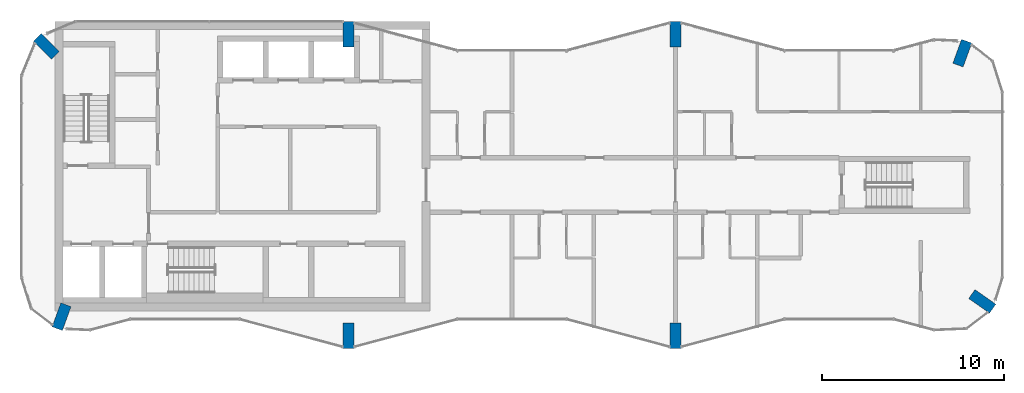
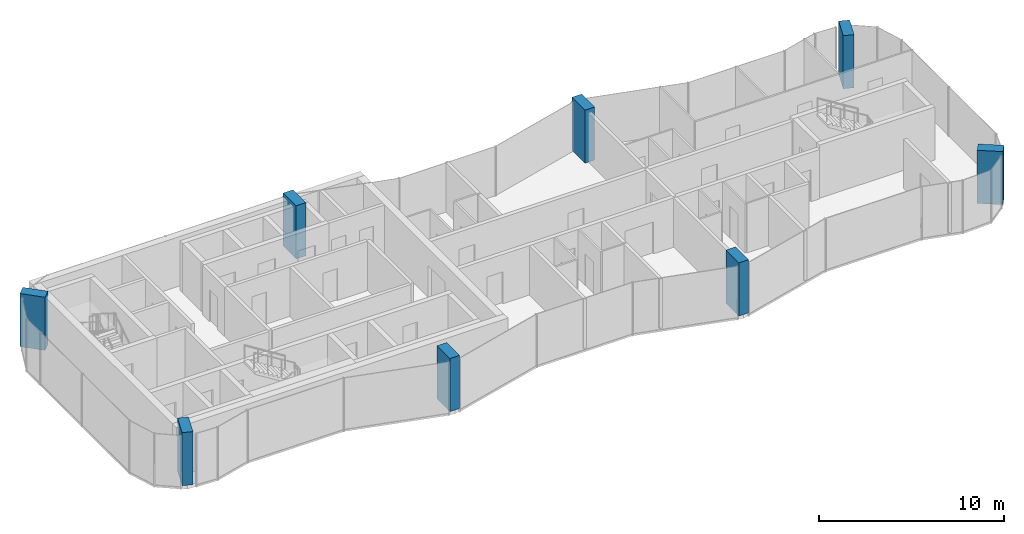
# One storey, part 1 of 10: 8 columns.
"""IFC4 building model written with IfcOpenShell, lengths in metres."""

from ifc_helpers import new_model, si_unit, direction, frame, origin, origin_2d, place, context, subcontext, project, spatial, rectangle, extrude, material, material_profile, profile_set, type_object, element, save


model = new_model("IFC4")

# Units and contexts
model_context = context("Model", 3, precision=1e-05, world=origin(), true_north=direction((0.0, 1.0)))
body_context = subcontext(model_context, "Body", "Model", "MODEL_VIEW")
ifc_project = project(units=[si_unit("LENGTHUNIT", "METRE"), si_unit("AREAUNIT", "SQUARE_METRE"), si_unit("VOLUMEUNIT", "CUBIC_METRE"), si_unit("PLANEANGLEUNIT", "RADIAN"), si_unit("MASSUNIT", "GRAM", prefix="KILO")], contexts=[model_context])

# Site, building, storey
site_placement = place(None, origin())
site = spatial("IfcSite", under=ifc_project, at=site_placement, CompositionType="ELEMENT")
building_placement = place(site_placement, origin())
building = spatial("IfcBuilding", under=site, at=building_placement, Name="Plateau Cross Towers", CompositionType="ELEMENT")
storey_placement = place(building_placement, frame((0.0, 0.0, 266.89990234375)))
storey = spatial("IfcBuildingStorey", under=building, at=storey_placement, Name="L70", CompositionType="ELEMENT", Elevation=266.89990234375)

# Columns
ifc_material = material(Name="Concrete C60/75", Category="concrete")
ifc_material_profile = material_profile(ifc_material, rectangle(XDim=0.60009765625, YDim=1.39990234375, at=origin_2d()), Name="RC 600x1400")
ifc_profile_set = profile_set([ifc_material_profile], Name="Concrete C60/75")
column_type = type_object("IfcColumnType", Name="Fin pier column RC 600x1400", PredefinedType="COLUMN", material=ifc_profile_set)
for number, where, z_axis, x_axis, name in (
    (1, (18.0, 0.699951171875, 0.0), (0.0, 0.0, 1.0), (1.0, 0.0, 0.0), "PR1 L70"),
    (2, (36.0, 0.699951171875, 0.0), (0.0, 0.0, 1.0), (1.0, 0.0, 0.0), "PR2 L70"),
    (3, (52.884033203125, 2.590087890625, 0.0), (0.0, 0.0, 1.0), (0.573542637991, 0.819175709117, 0.0), "PR3 L70"),
    (4, (51.786865234375, 16.251953125, 0.0), (0.0, 0.0, 1.0), (-0.939664280925, 0.342097996418, 0.0), "PR4 L70"),
    (5, (36.0, 17.300048828125, 0.0), (0.0, 0.0, 1.0), (1.0, 0.0, 0.0), "PR5 L70"),
    (6, (18.0, 17.300048828125, 0.0), (0.0, 0.0, 1.0), (1.0, 0.0, 0.0), "PR13 L70"),
    (7, (1.37353515625, 16.62646484375, 0.0), (0.0, 0.0, 1.0), (0.707106781187, 0.707106781187, 0.0), "PR14 L70"),
    (8, (2.213134765625, 1.748046875, 0.0), (0.0, 0.0, 1.0), (-0.939664280925, 0.342097996418, 0.0), "PR12 L70"),
):
    element("IfcColumn", number, at=place(storey_placement, frame(where, z_axis=z_axis, x_axis=x_axis)), inside=storey, type_object=column_type, Name=name, PredefinedType="COLUMN", context=body_context, shape_type="SweptSolid", body=[
        extrude(rectangle(XDim=0.60009765625, YDim=1.39990234375, at=origin_2d()), origin(), (0.0, 0.0, 1.0), 3.5),
    ])

save(model, "model.ifc")
